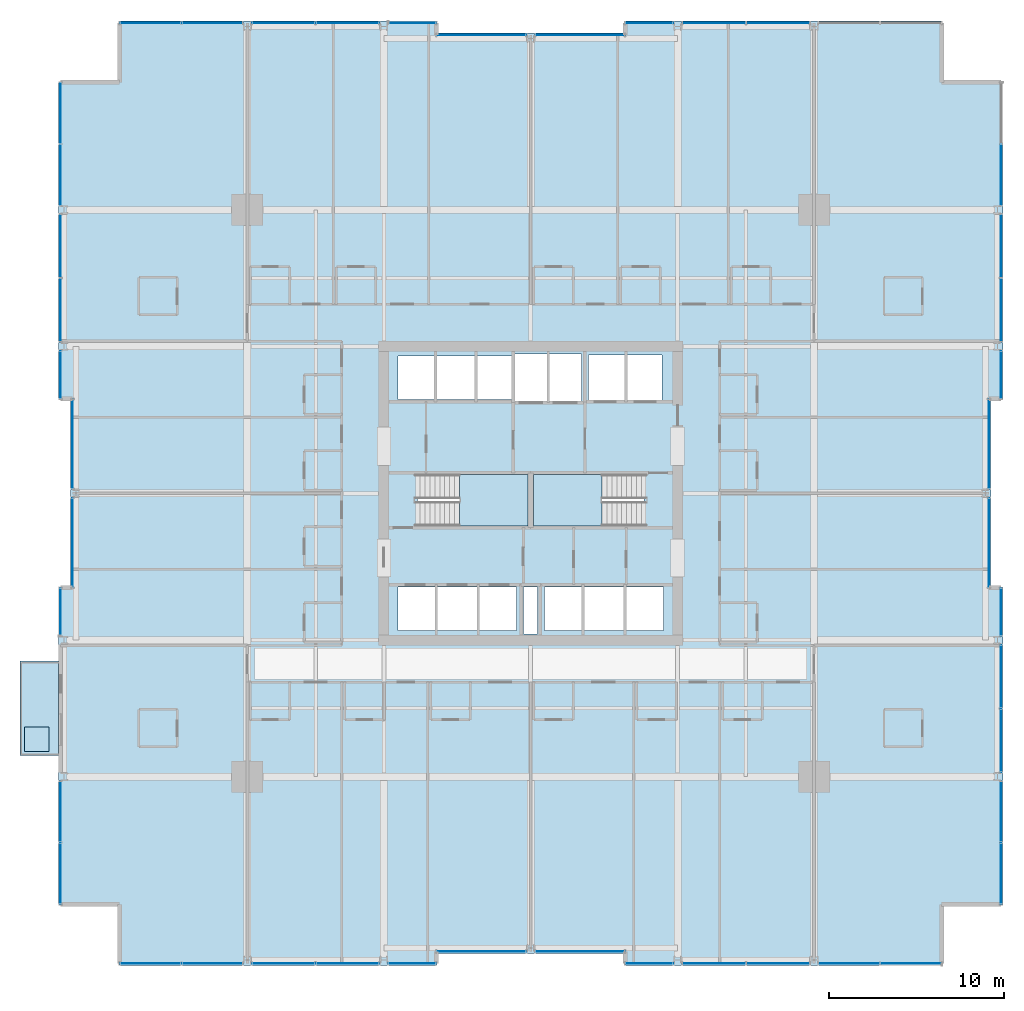
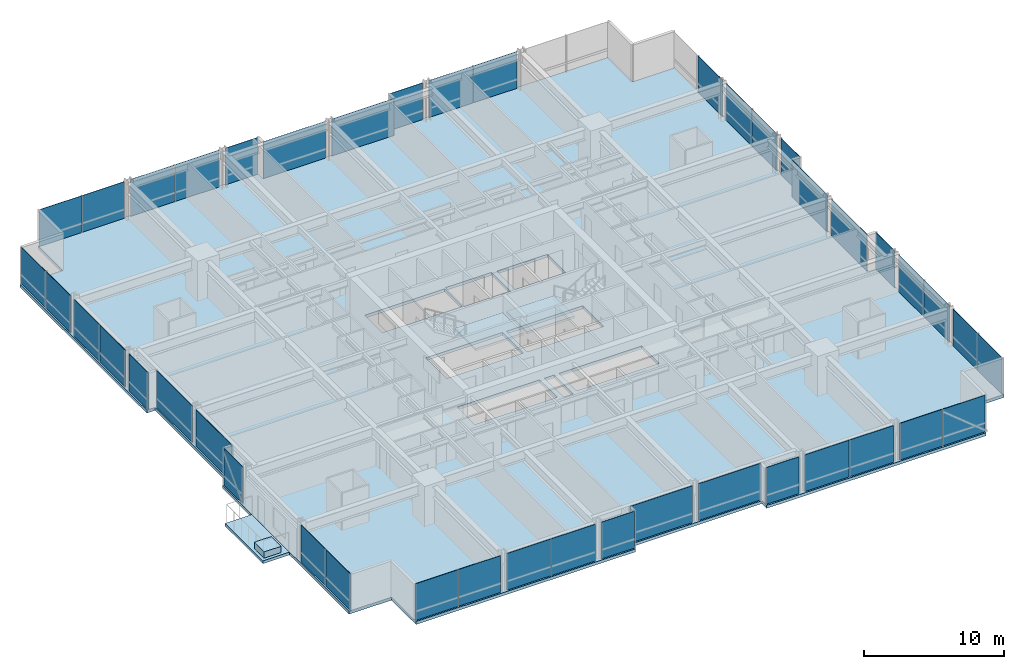
# One storey, part 29 of 39: 43 plates, 5 slabs, 32 elements without a shape of their own.
"""IFC4 building model written with IfcOpenShell, lengths in metres."""

from ifc_helpers import new_model, si_unit, direction, frame, origin, origin_2d, place, context, subcontext, project, spatial, polyline, rectangle, outline, extrude, material, layer, layer_set, type_object, element, aggregate, save


model = new_model("IFC4")

# Units and contexts
model_context = context("Model", 3, precision=1e-05, world=origin(), true_north=direction((0.0, 1.0)))
body_context = subcontext(model_context, "Body", "Model", "MODEL_VIEW")
ifc_project = project(units=[si_unit("LENGTHUNIT", "METRE"), si_unit("AREAUNIT", "SQUARE_METRE"), si_unit("VOLUMEUNIT", "CUBIC_METRE"), si_unit("PLANEANGLEUNIT", "RADIAN"), si_unit("MASSUNIT", "GRAM", prefix="KILO")], contexts=[model_context])

# Site, building, storey
site_placement = place(None, origin())
site = spatial("IfcSite", under=ifc_project, at=site_placement, CompositionType="ELEMENT")
building_placement = place(site_placement, origin())
building = spatial("IfcBuilding", under=site, at=building_placement, Name="Drelvath Grand Hotel", CompositionType="ELEMENT")
storey_placement = place(building_placement, frame((0.0, 0.0, 40.199951171875)))
storey = spatial("IfcBuildingStorey", under=building, at=storey_placement, Name="L08", CompositionType="ELEMENT", Elevation=40.199951171875)

# Slabs
ifc_material_1 = material(Name="Concrete f'c 40 MPa", Category="concrete")
ifc_layer_1 = layer(ifc_material_1, 0.239990234375)
ifc_layer_set_1 = layer_set([ifc_layer_1], Name="Concrete f'c 40 MPa")
slab_type_1 = type_object("IfcSlabType", Name="Cantilevered Tree Balcony Slab 240", PredefinedType="FLOOR", material=ifc_layer_set_1)
slab_1_placement = place(storey_placement, frame((0.0, 0.0, -0.239990234375)))
element("IfcSlab", 1, at=slab_1_placement, inside=storey, type_object=slab_type_1, Name="L08 Cantilevered Tree Balcony Slab 1", PredefinedType="FLOOR", context=body_context, shape_type="SweptSolid", body=[
    extrude(outline(polyline([(-29.199951171875, 12.0), (-27.0, 12.0), (-27.0, 17.39990234375), (-29.199951171875, 17.39990234375), (-29.199951171875, 12.0)])), origin(), (0.0, 0.0, 1.0), 0.239990234375),
])
ifc_layer_2 = layer(ifc_material_1, 0.260009765625)
ifc_layer_set_2 = layer_set([ifc_layer_2], Name="Concrete f'c 40 MPa")
slab_type_2 = type_object("IfcSlabType", Name="Composite RC Floor Slab 260", PredefinedType="FLOOR", material=ifc_layer_set_2)
slab_2_placement = place(storey_placement, frame((0.0, 0.0, -0.260009765625)))
element("IfcSlab", 2, at=slab_2_placement, inside=storey, type_object=slab_type_2, Name="L08 Structural Floor Slab", PredefinedType="FLOOR", context=body_context, shape_type="SweptSolid", body=[
    extrude(outline(polyline([(-23.5, 0.0), (-5.39990234375, 0.0), (-5.39990234375, 0.679931640625), (5.39990234375, 0.679931640625), (5.39990234375, 0.0), (23.5, 0.0), (23.5, 3.5), (27.0, 3.5), (27.0, 21.60009765625), (26.320068359375, 21.60009765625), (26.320068359375, 32.39990234375), (27.0, 32.39990234375), (27.0, 50.5), (23.5, 50.5), (23.5, 54.0), (5.39990234375, 54.0), (5.39990234375, 53.320068359375), (-5.39990234375, 53.320068359375), (-5.39990234375, 54.0), (-23.5, 54.0), (-23.5, 50.5), (-27.0, 50.5), (-27.0, 32.39990234375), (-26.320068359375, 32.39990234375), (-26.320068359375, 21.60009765625), (-27.0, 21.60009765625), (-27.0, 3.5), (-23.5, 3.5), (-23.5, 0.0)]), holes=[polyline([(-6.47998046875, 25.1201171875), (-6.47998046875, 28.080078125), (-0.14990234375, 28.080078125), (-0.14990234375, 25.1201171875), (-6.47998046875, 25.1201171875)]), polyline([(0.14990234375, 25.1201171875), (0.14990234375, 28.080078125), (6.47998046875, 28.080078125), (6.47998046875, 25.1201171875), (0.14990234375, 25.1201171875)]), polyline([(-7.60009765625, 19.14990234375), (-7.60009765625, 21.64990234375), (-0.800048828125, 21.64990234375), (-0.800048828125, 19.14990234375), (-7.60009765625, 19.14990234375)]), polyline([(-0.39990234375, 18.9599609375), (-0.39990234375, 21.639892578125), (0.39990234375, 21.639892578125), (0.39990234375, 18.9599609375), (-0.39990234375, 18.9599609375)]), polyline([(0.800048828125, 19.14990234375), (0.800048828125, 21.64990234375), (7.60009765625, 21.64990234375), (7.60009765625, 19.14990234375), (0.800048828125, 19.14990234375)]), polyline([(-7.60009765625, 32.35009765625), (-7.60009765625, 34.85009765625), (-1.02001953125, 34.85009765625), (-1.02001953125, 32.35009765625), (-7.60009765625, 32.35009765625)]), polyline([(-0.89990234375, 32.25), (-0.89990234375, 34.949951171875), (2.89990234375, 34.949951171875), (2.89990234375, 32.25), (-0.89990234375, 32.25)]), polyline([(3.300048828125, 32.300048828125), (3.300048828125, 34.89990234375), (7.5, 34.89990234375), (7.5, 32.300048828125), (3.300048828125, 32.300048828125)])]), origin(), (0.0, 0.0, 1.0), 0.260009765625),
])

# Stair, slab
ifc_material_2 = material(Name="Concrete C40/50", Category="concrete")
stair_type = type_object("IfcStairType", Name="Dogleg Exit Stair W1400-R175.0", PredefinedType="HALF_TURN_STAIR", material=ifc_material_2)
stair_1_placement = place(storey_placement, origin())
stair_1 = element("IfcStair", 3, at=stair_1_placement, inside=storey, type_object=stair_type, Name="L08 Core Exit Stair ST-1", PredefinedType="HALF_TURN_STAIR")
ifc_layer_3 = layer(ifc_material_2, 0.199951171875)
ifc_layer_set_3 = layer_set([ifc_layer_3], Name="Concrete C40/50")
slab_type_3 = type_object("IfcSlabType", Name="Concrete Stair Landing Slab 200", PredefinedType="LANDING", material=ifc_layer_set_3)
slab_3_placement = place(storey_placement, frame((0.0, 0.0, 1.550048828125)))
slab_3 = element("IfcSlab", 4, at=slab_3_placement, type_object=slab_type_3, Name="ST-1 landing 1", PredefinedType="LANDING", context=body_context, shape_type="SweptSolid", body=[
    extrude(outline(polyline([(-4.080078125, 25.1201171875), (-0.14990234375, 25.1201171875), (-0.14990234375, 28.080078125), (-4.080078125, 28.080078125), (-4.080078125, 25.1201171875)])), origin(), (0.0, 0.0, 1.0), 0.199951171875),
])
aggregate(stair_1, [slab_3])

stair_2_placement = place(storey_placement, origin())
stair_2 = element("IfcStair", 5, at=stair_2_placement, inside=storey, type_object=stair_type, Name="L08 Core Exit Stair ST-2", PredefinedType="HALF_TURN_STAIR")
slab_4_placement = place(storey_placement, frame((0.0, 0.0, 1.550048828125)))
slab_4 = element("IfcSlab", 6, at=slab_4_placement, type_object=slab_type_3, Name="ST-2 landing 1", PredefinedType="LANDING", context=body_context, shape_type="SweptSolid", body=[
    extrude(outline(polyline([(4.080078125, 28.080078125), (0.14990234375, 28.080078125), (0.14990234375, 25.1201171875), (4.080078125, 25.1201171875), (4.080078125, 28.080078125)])), origin(), (0.0, 0.0, 1.0), 0.199951171875),
])
aggregate(stair_2, [slab_4])

# Curtain wall, plates
ifc_material_3 = material(Name="Warm Bronze Anodised Aluminium Frame", Category="aluminium")
ifc_layer_4 = layer(ifc_material_3, 0.199951171875)
ifc_layer_set_4 = layer_set([ifc_layer_4], Name="Warm Bronze Anodised Aluminium Frame")
curtain_wall_type = type_object("IfcCurtainWallType", Name="Stick Curtain Wall CW-02 Warm Bronze Low-Rise", PredefinedType="NOTDEFINED", material=ifc_layer_set_4)
curtain_wall_1_placement = place(storey_placement, origin())
curtain_wall_1 = element("IfcCurtainWall", 7, at=curtain_wall_1_placement, inside=storey, type_object=curtain_wall_type, Name="L08 CW-02 Curtain Wall CW02-L08-WS1", PredefinedType="NOTDEFINED")
ifc_material_4 = material(Name="Low-E Triple Silver Vision Glass Bronze Tint", Category="glass")
ifc_layer_5 = layer(ifc_material_4, 0.035888671875)
ifc_layer_set_5 = layer_set([ifc_layer_5], Name="Low-E Triple Silver Vision Glass Bronze Tint")
plate_type = type_object("IfcPlateType", Name="Curtain Wall Vision Panel CW-02 36mm", PredefinedType="CURTAIN_PANEL", material=ifc_layer_set_5)
plate_1_placement = place(storey_placement, frame((-26.8798828125, 5.264892578125, 0.02001953125), z_axis=(0.0, 0.0, 1.0), x_axis=(0.0, 1.0, 0.0)))
plate_1 = element("IfcPlate", 8, at=plate_1_placement, type_object=plate_type, Name="CW02-L08-WS1 Glazed Panel 1", PredefinedType="CURTAIN_PANEL", context=body_context, shape_type="SweptSolid", body=[
    extrude(rectangle(XDim=3.489501953125, YDim=0.035888671875, at=origin_2d()), origin(), (0.0, 0.0, 1.0), 3.199951171875),
])
plate_2_placement = place(storey_placement, frame((-26.8798828125, 8.794189453125, 0.02001953125), z_axis=(0.0, 0.0, 1.0), x_axis=(0.0, 1.0, 0.0)))
plate_2 = element("IfcPlate", 9, at=plate_2_placement, type_object=plate_type, Name="CW02-L08-WS1 Glazed Panel 2", PredefinedType="CURTAIN_PANEL", context=body_context, shape_type="SweptSolid", body=[
    extrude(rectangle(XDim=3.489501953125, YDim=0.035888671875, at=origin_2d()), origin(), (0.0, 0.0, 1.0), 3.199951171875),
])
aggregate(curtain_wall_1, [plate_1, plate_2])

# Curtain wall, plate
curtain_wall_2_placement = place(storey_placement, origin())
curtain_wall_2 = element("IfcCurtainWall", 10, at=curtain_wall_2_placement, inside=storey, type_object=curtain_wall_type, Name="L08 CW-02 Curtain Wall CW02-L08-WS3", PredefinedType="NOTDEFINED")
plate_3_placement = place(storey_placement, frame((-26.8798828125, 20.220458984375, 0.02001953125), z_axis=(0.0, 0.0, 1.0), x_axis=(0.0, 1.0, 0.0)))
plate_3 = element("IfcPlate", 11, at=plate_3_placement, type_object=plate_type, Name="CW02-L08-WS3 Glazed Panel 1", PredefinedType="CURTAIN_PANEL", context=body_context, shape_type="SweptSolid", body=[
    extrude(rectangle(XDim=2.718994140625, YDim=0.035888671875, at=origin_2d()), origin(), (0.0, 0.0, 1.0), 3.199951171875),
])
aggregate(curtain_wall_2, [plate_3])

curtain_wall_3_placement = place(storey_placement, origin())
curtain_wall_3 = element("IfcCurtainWall", 12, at=curtain_wall_3_placement, inside=storey, type_object=curtain_wall_type, Name="L08 CW-02 Curtain Wall CW02-L08-WM1", PredefinedType="NOTDEFINED")
plate_4_placement = place(storey_placement, frame((-26.199951171875, 24.179443359375, 0.02001953125), z_axis=(0.0, 0.0, 1.0), x_axis=(0.0, 1.0, 0.0)))
plate_4 = element("IfcPlate", 13, at=plate_4_placement, type_object=plate_type, Name="CW02-L08-WM1 Glazed Panel 1", PredefinedType="CURTAIN_PANEL", context=body_context, shape_type="SweptSolid", body=[
    extrude(rectangle(XDim=5.119140625, YDim=0.035888671875, at=origin_2d()), origin(), (0.0, 0.0, 1.0), 3.199951171875),
])
aggregate(curtain_wall_3, [plate_4])

curtain_wall_4_placement = place(storey_placement, origin())
curtain_wall_4 = element("IfcCurtainWall", 14, at=curtain_wall_4_placement, inside=storey, type_object=curtain_wall_type, Name="L08 CW-02 Curtain Wall CW02-L08-WM2", PredefinedType="NOTDEFINED")
plate_5_placement = place(storey_placement, frame((-26.199951171875, 29.820556640625, 0.02001953125), z_axis=(0.0, 0.0, 1.0), x_axis=(0.0, 1.0, 0.0)))
plate_5 = element("IfcPlate", 15, at=plate_5_placement, type_object=plate_type, Name="CW02-L08-WM2 Glazed Panel 1", PredefinedType="CURTAIN_PANEL", context=body_context, shape_type="SweptSolid", body=[
    extrude(rectangle(XDim=5.119140625, YDim=0.035888671875, at=origin_2d()), origin(), (0.0, 0.0, 1.0), 3.199951171875),
])
aggregate(curtain_wall_4, [plate_5])

curtain_wall_5_placement = place(storey_placement, origin())
curtain_wall_5 = element("IfcCurtainWall", 16, at=curtain_wall_5_placement, inside=storey, type_object=curtain_wall_type, Name="L08 CW-02 Curtain Wall CW02-L08-WN1", PredefinedType="NOTDEFINED")
plate_6_placement = place(storey_placement, frame((-26.8798828125, 33.779541015625, 0.02001953125), z_axis=(0.0, 0.0, 1.0), x_axis=(0.0, 1.0, 0.0)))
plate_6 = element("IfcPlate", 17, at=plate_6_placement, type_object=plate_type, Name="CW02-L08-WN1 Glazed Panel 1", PredefinedType="CURTAIN_PANEL", context=body_context, shape_type="SweptSolid", body=[
    extrude(rectangle(XDim=2.718994140625, YDim=0.035888671875, at=origin_2d()), origin(), (0.0, 0.0, 1.0), 3.199951171875),
])
aggregate(curtain_wall_5, [plate_6])

# Curtain wall, plates
curtain_wall_6_placement = place(storey_placement, origin())
curtain_wall_6 = element("IfcCurtainWall", 18, at=curtain_wall_6_placement, inside=storey, type_object=curtain_wall_type, Name="L08 CW-02 Curtain Wall CW02-L08-WN2", PredefinedType="NOTDEFINED")
plate_7_placement = place(storey_placement, frame((-26.8798828125, 37.470458984375, 0.02001953125), z_axis=(0.0, 0.0, 1.0), x_axis=(0.0, 1.0, 0.0)))
plate_7 = element("IfcPlate", 19, at=plate_7_placement, type_object=plate_type, Name="CW02-L08-WN2 Glazed Panel 1", PredefinedType="CURTAIN_PANEL", context=body_context, shape_type="SweptSolid", body=[
    extrude(rectangle(XDim=3.619140625, YDim=0.035888671875, at=origin_2d()), origin(), (0.0, 0.0, 1.0), 3.199951171875),
])
plate_8_placement = place(storey_placement, frame((-26.8798828125, 41.129638671875, 0.02001953125), z_axis=(0.0, 0.0, 1.0), x_axis=(0.0, 1.0, 0.0)))
plate_8 = element("IfcPlate", 20, at=plate_8_placement, type_object=plate_type, Name="CW02-L08-WN2 Glazed Panel 2", PredefinedType="CURTAIN_PANEL", context=body_context, shape_type="SweptSolid", body=[
    extrude(rectangle(XDim=3.619140625, YDim=0.035888671875, at=origin_2d()), origin(), (0.0, 0.0, 1.0), 3.199951171875),
])
aggregate(curtain_wall_6, [plate_7, plate_8])

curtain_wall_7_placement = place(storey_placement, origin())
curtain_wall_7 = element("IfcCurtainWall", 21, at=curtain_wall_7_placement, inside=storey, type_object=curtain_wall_type, Name="L08 CW-02 Curtain Wall CW02-L08-WN3", PredefinedType="NOTDEFINED")
plate_9_placement = place(storey_placement, frame((-26.8798828125, 45.205810546875, 0.02001953125), z_axis=(0.0, 0.0, 1.0), x_axis=(0.0, 1.0, 0.0)))
plate_9 = element("IfcPlate", 22, at=plate_9_placement, type_object=plate_type, Name="CW02-L08-WN3 Glazed Panel 1", PredefinedType="CURTAIN_PANEL", context=body_context, shape_type="SweptSolid", body=[
    extrude(rectangle(XDim=3.489501953125, YDim=0.035888671875, at=origin_2d()), origin(), (0.0, 0.0, 1.0), 3.199951171875),
])
plate_10_placement = place(storey_placement, frame((-26.8798828125, 48.735107421875, 0.02001953125), z_axis=(0.0, 0.0, 1.0), x_axis=(0.0, 1.0, 0.0)))
plate_10 = element("IfcPlate", 23, at=plate_10_placement, type_object=plate_type, Name="CW02-L08-WN3 Glazed Panel 2", PredefinedType="CURTAIN_PANEL", context=body_context, shape_type="SweptSolid", body=[
    extrude(rectangle(XDim=3.489501953125, YDim=0.035888671875, at=origin_2d()), origin(), (0.0, 0.0, 1.0), 3.199951171875),
])
aggregate(curtain_wall_7, [plate_9, plate_10])

# Curtain wall, plate
curtain_wall_8_placement = place(storey_placement, origin())
curtain_wall_8 = element("IfcCurtainWall", 24, at=curtain_wall_8_placement, inside=storey, type_object=curtain_wall_type, Name="L08 CW-02 Curtain Wall CW02-L08-EN1", PredefinedType="NOTDEFINED")
plate_11_placement = place(storey_placement, frame((26.8798828125, 33.779541015625, 0.02001953125), z_axis=(0.0, 0.0, 1.0), x_axis=(0.0, -1.0, 0.0)))
plate_11 = element("IfcPlate", 25, at=plate_11_placement, type_object=plate_type, Name="CW02-L08-EN1 Glazed Panel 1", PredefinedType="CURTAIN_PANEL", context=body_context, shape_type="SweptSolid", body=[
    extrude(rectangle(XDim=2.718994140625, YDim=0.035888671875, at=origin_2d()), origin(), (0.0, 0.0, 1.0), 3.199951171875),
])
aggregate(curtain_wall_8, [plate_11])

# Curtain wall, plates
curtain_wall_9_placement = place(storey_placement, origin())
curtain_wall_9 = element("IfcCurtainWall", 26, at=curtain_wall_9_placement, inside=storey, type_object=curtain_wall_type, Name="L08 CW-02 Curtain Wall CW02-L08-EN2", PredefinedType="NOTDEFINED")
plate_12_placement = place(storey_placement, frame((26.8798828125, 41.129638671875, 0.02001953125), z_axis=(0.0, 0.0, 1.0), x_axis=(0.0, -1.0, 0.0)))
plate_12 = element("IfcPlate", 27, at=plate_12_placement, type_object=plate_type, Name="CW02-L08-EN2 Glazed Panel 1", PredefinedType="CURTAIN_PANEL", context=body_context, shape_type="SweptSolid", body=[
    extrude(rectangle(XDim=3.619140625, YDim=0.035888671875, at=origin_2d()), origin(), (0.0, 0.0, 1.0), 3.199951171875),
])
plate_13_placement = place(storey_placement, frame((26.8798828125, 37.470458984375, 0.02001953125), z_axis=(0.0, 0.0, 1.0), x_axis=(0.0, -1.0, 0.0)))
plate_13 = element("IfcPlate", 28, at=plate_13_placement, type_object=plate_type, Name="CW02-L08-EN2 Glazed Panel 2", PredefinedType="CURTAIN_PANEL", context=body_context, shape_type="SweptSolid", body=[
    extrude(rectangle(XDim=3.619140625, YDim=0.035888671875, at=origin_2d()), origin(), (0.0, 0.0, 1.0), 3.199951171875),
])
aggregate(curtain_wall_9, [plate_12, plate_13])

# Curtain wall, plate
curtain_wall_10_placement = place(storey_placement, origin())
curtain_wall_10 = element("IfcCurtainWall", 29, at=curtain_wall_10_placement, inside=storey, type_object=curtain_wall_type, Name="L08 CW-02 Curtain Wall CW02-L08-EN3", PredefinedType="NOTDEFINED")
plate_14_placement = place(storey_placement, frame((26.8798828125, 45.205810546875, 0.02001953125), z_axis=(0.0, 0.0, 1.0), x_axis=(0.0, -1.0, 0.0)))
plate_14 = element("IfcPlate", 30, at=plate_14_placement, type_object=plate_type, Name="CW02-L08-EN3 Glazed Panel 2", PredefinedType="CURTAIN_PANEL", context=body_context, shape_type="SweptSolid", body=[
    extrude(rectangle(XDim=3.489501953125, YDim=0.035888671875, at=origin_2d()), origin(), (0.0, 0.0, 1.0), 3.199951171875),
])
aggregate(curtain_wall_10, [plate_14])

curtain_wall_11_placement = place(storey_placement, origin())
curtain_wall_11 = element("IfcCurtainWall", 31, at=curtain_wall_11_placement, inside=storey, type_object=curtain_wall_type, Name="L08 CW-02 Curtain Wall CW02-L08-EM1", PredefinedType="NOTDEFINED")
plate_15_placement = place(storey_placement, frame((26.199951171875, 24.179443359375, 0.02001953125), z_axis=(0.0, 0.0, 1.0), x_axis=(0.0, -1.0, 0.0)))
plate_15 = element("IfcPlate", 32, at=plate_15_placement, type_object=plate_type, Name="CW02-L08-EM1 Glazed Panel 1", PredefinedType="CURTAIN_PANEL", context=body_context, shape_type="SweptSolid", body=[
    extrude(rectangle(XDim=5.119140625, YDim=0.035888671875, at=origin_2d()), origin(), (0.0, 0.0, 1.0), 3.199951171875),
])
aggregate(curtain_wall_11, [plate_15])

curtain_wall_12_placement = place(storey_placement, origin())
curtain_wall_12 = element("IfcCurtainWall", 33, at=curtain_wall_12_placement, inside=storey, type_object=curtain_wall_type, Name="L08 CW-02 Curtain Wall CW02-L08-EM2", PredefinedType="NOTDEFINED")
plate_16_placement = place(storey_placement, frame((26.199951171875, 29.820556640625, 0.02001953125), z_axis=(0.0, 0.0, 1.0), x_axis=(0.0, -1.0, 0.0)))
plate_16 = element("IfcPlate", 34, at=plate_16_placement, type_object=plate_type, Name="CW02-L08-EM2 Glazed Panel 1", PredefinedType="CURTAIN_PANEL", context=body_context, shape_type="SweptSolid", body=[
    extrude(rectangle(XDim=5.119140625, YDim=0.035888671875, at=origin_2d()), origin(), (0.0, 0.0, 1.0), 3.199951171875),
])
aggregate(curtain_wall_12, [plate_16])

# Curtain wall, plates
curtain_wall_13_placement = place(storey_placement, origin())
curtain_wall_13 = element("IfcCurtainWall", 35, at=curtain_wall_13_placement, inside=storey, type_object=curtain_wall_type, Name="L08 CW-02 Curtain Wall CW02-L08-ES1", PredefinedType="NOTDEFINED")
plate_17_placement = place(storey_placement, frame((26.8798828125, 8.794189453125, 0.02001953125), z_axis=(0.0, 0.0, 1.0), x_axis=(0.0, -1.0, 0.0)))
plate_17 = element("IfcPlate", 36, at=plate_17_placement, type_object=plate_type, Name="CW02-L08-ES1 Glazed Panel 1", PredefinedType="CURTAIN_PANEL", context=body_context, shape_type="SweptSolid", body=[
    extrude(rectangle(XDim=3.489501953125, YDim=0.035888671875, at=origin_2d()), origin(), (0.0, 0.0, 1.0), 3.199951171875),
])
plate_18_placement = place(storey_placement, frame((26.8798828125, 5.264892578125, 0.02001953125), z_axis=(0.0, 0.0, 1.0), x_axis=(0.0, -1.0, 0.0)))
plate_18 = element("IfcPlate", 37, at=plate_18_placement, type_object=plate_type, Name="CW02-L08-ES1 Glazed Panel 2", PredefinedType="CURTAIN_PANEL", context=body_context, shape_type="SweptSolid", body=[
    extrude(rectangle(XDim=3.489501953125, YDim=0.035888671875, at=origin_2d()), origin(), (0.0, 0.0, 1.0), 3.199951171875),
])
aggregate(curtain_wall_13, [plate_17, plate_18])

curtain_wall_14_placement = place(storey_placement, origin())
curtain_wall_14 = element("IfcCurtainWall", 38, at=curtain_wall_14_placement, inside=storey, type_object=curtain_wall_type, Name="L08 CW-02 Curtain Wall CW02-L08-ES2", PredefinedType="NOTDEFINED")
plate_19_placement = place(storey_placement, frame((26.8798828125, 16.529541015625, 0.02001953125), z_axis=(0.0, 0.0, 1.0), x_axis=(0.0, -1.0, 0.0)))
plate_19 = element("IfcPlate", 39, at=plate_19_placement, type_object=plate_type, Name="CW02-L08-ES2 Glazed Panel 1", PredefinedType="CURTAIN_PANEL", context=body_context, shape_type="SweptSolid", body=[
    extrude(rectangle(XDim=3.619140625, YDim=0.035888671875, at=origin_2d()), origin(), (0.0, 0.0, 1.0), 3.199951171875),
])
plate_20_placement = place(storey_placement, frame((26.8798828125, 12.870361328125, 0.02001953125), z_axis=(0.0, 0.0, 1.0), x_axis=(0.0, -1.0, 0.0)))
plate_20 = element("IfcPlate", 40, at=plate_20_placement, type_object=plate_type, Name="CW02-L08-ES2 Glazed Panel 2", PredefinedType="CURTAIN_PANEL", context=body_context, shape_type="SweptSolid", body=[
    extrude(rectangle(XDim=3.619140625, YDim=0.035888671875, at=origin_2d()), origin(), (0.0, 0.0, 1.0), 3.199951171875),
])
aggregate(curtain_wall_14, [plate_19, plate_20])

# Curtain wall, plate
curtain_wall_15_placement = place(storey_placement, origin())
curtain_wall_15 = element("IfcCurtainWall", 41, at=curtain_wall_15_placement, inside=storey, type_object=curtain_wall_type, Name="L08 CW-02 Curtain Wall CW02-L08-ES3", PredefinedType="NOTDEFINED")
plate_21_placement = place(storey_placement, frame((26.8798828125, 20.220458984375, 0.02001953125), z_axis=(0.0, 0.0, 1.0), x_axis=(0.0, -1.0, 0.0)))
plate_21 = element("IfcPlate", 42, at=plate_21_placement, type_object=plate_type, Name="CW02-L08-ES3 Glazed Panel 1", PredefinedType="CURTAIN_PANEL", context=body_context, shape_type="SweptSolid", body=[
    extrude(rectangle(XDim=2.718994140625, YDim=0.035888671875, at=origin_2d()), origin(), (0.0, 0.0, 1.0), 3.199951171875),
])
aggregate(curtain_wall_15, [plate_21])

# Curtain wall, plates
curtain_wall_16_placement = place(storey_placement, origin())
curtain_wall_16 = element("IfcCurtainWall", 43, at=curtain_wall_16_placement, inside=storey, type_object=curtain_wall_type, Name="L08 CW-02 Curtain Wall CW02-L08-NW1", PredefinedType="NOTDEFINED")
plate_22_placement = place(storey_placement, frame((-21.735107421875, 53.8798828125, 0.02001953125), z_axis=(0.0, 0.0, 1.0), x_axis=(1.0, 0.0, 0.0)))
plate_22 = element("IfcPlate", 44, at=plate_22_placement, type_object=plate_type, Name="CW02-L08-NW1 Glazed Panel 1", PredefinedType="CURTAIN_PANEL", context=body_context, shape_type="SweptSolid", body=[
    extrude(rectangle(XDim=3.489501953125, YDim=0.035888671875, at=origin_2d()), origin(), (0.0, 0.0, 1.0), 3.199951171875),
])
plate_23_placement = place(storey_placement, frame((-18.205810546875, 53.8798828125, 0.02001953125), z_axis=(0.0, 0.0, 1.0), x_axis=(1.0, 0.0, 0.0)))
plate_23 = element("IfcPlate", 45, at=plate_23_placement, type_object=plate_type, Name="CW02-L08-NW1 Glazed Panel 2", PredefinedType="CURTAIN_PANEL", context=body_context, shape_type="SweptSolid", body=[
    extrude(rectangle(XDim=3.489501953125, YDim=0.035888671875, at=origin_2d()), origin(), (0.0, 0.0, 1.0), 3.199951171875),
])
aggregate(curtain_wall_16, [plate_22, plate_23])

curtain_wall_17_placement = place(storey_placement, origin())
curtain_wall_17 = element("IfcCurtainWall", 46, at=curtain_wall_17_placement, inside=storey, type_object=curtain_wall_type, Name="L08 CW-02 Curtain Wall CW02-L08-NW2", PredefinedType="NOTDEFINED")
plate_24_placement = place(storey_placement, frame((-14.129638671875, 53.8798828125, 0.02001953125), z_axis=(0.0, 0.0, 1.0), x_axis=(1.0, 0.0, 0.0)))
plate_24 = element("IfcPlate", 47, at=plate_24_placement, type_object=plate_type, Name="CW02-L08-NW2 Glazed Panel 1", PredefinedType="CURTAIN_PANEL", context=body_context, shape_type="SweptSolid", body=[
    extrude(rectangle(XDim=3.619140625, YDim=0.035888671875, at=origin_2d()), origin(), (0.0, 0.0, 1.0), 3.199951171875),
])
plate_25_placement = place(storey_placement, frame((-10.470458984375, 53.8798828125, 0.02001953125), z_axis=(0.0, 0.0, 1.0), x_axis=(1.0, 0.0, 0.0)))
plate_25 = element("IfcPlate", 48, at=plate_25_placement, type_object=plate_type, Name="CW02-L08-NW2 Glazed Panel 2", PredefinedType="CURTAIN_PANEL", context=body_context, shape_type="SweptSolid", body=[
    extrude(rectangle(XDim=3.619140625, YDim=0.035888671875, at=origin_2d()), origin(), (0.0, 0.0, 1.0), 3.199951171875),
])
aggregate(curtain_wall_17, [plate_24, plate_25])

# Curtain wall, plate
curtain_wall_18_placement = place(storey_placement, origin())
curtain_wall_18 = element("IfcCurtainWall", 49, at=curtain_wall_18_placement, inside=storey, type_object=curtain_wall_type, Name="L08 CW-02 Curtain Wall CW02-L08-NW3", PredefinedType="NOTDEFINED")
plate_26_placement = place(storey_placement, frame((-6.779541015625, 53.8798828125, 0.02001953125), z_axis=(0.0, 0.0, 1.0), x_axis=(1.0, 0.0, 0.0)))
plate_26 = element("IfcPlate", 50, at=plate_26_placement, type_object=plate_type, Name="CW02-L08-NW3 Glazed Panel 1", PredefinedType="CURTAIN_PANEL", context=body_context, shape_type="SweptSolid", body=[
    extrude(rectangle(XDim=2.718994140625, YDim=0.035888671875, at=origin_2d()), origin(), (0.0, 0.0, 1.0), 3.199951171875),
])
aggregate(curtain_wall_18, [plate_26])

curtain_wall_19_placement = place(storey_placement, origin())
curtain_wall_19 = element("IfcCurtainWall", 51, at=curtain_wall_19_placement, inside=storey, type_object=curtain_wall_type, Name="L08 CW-02 Curtain Wall CW02-L08-NM1", PredefinedType="NOTDEFINED")
plate_27_placement = place(storey_placement, frame((-2.820556640625, 53.199951171875, 0.02001953125), z_axis=(0.0, 0.0, 1.0), x_axis=(1.0, 0.0, 0.0)))
plate_27 = element("IfcPlate", 52, at=plate_27_placement, type_object=plate_type, Name="CW02-L08-NM1 Glazed Panel 1", PredefinedType="CURTAIN_PANEL", context=body_context, shape_type="SweptSolid", body=[
    extrude(rectangle(XDim=5.119140625, YDim=0.035888671875, at=origin_2d()), origin(), (0.0, 0.0, 1.0), 3.199951171875),
])
aggregate(curtain_wall_19, [plate_27])

curtain_wall_20_placement = place(storey_placement, origin())
curtain_wall_20 = element("IfcCurtainWall", 53, at=curtain_wall_20_placement, inside=storey, type_object=curtain_wall_type, Name="L08 CW-02 Curtain Wall CW02-L08-NM2", PredefinedType="NOTDEFINED")
plate_28_placement = place(storey_placement, frame((2.820556640625, 53.199951171875, 0.02001953125), z_axis=(0.0, 0.0, 1.0), x_axis=(1.0, 0.0, 0.0)))
plate_28 = element("IfcPlate", 54, at=plate_28_placement, type_object=plate_type, Name="CW02-L08-NM2 Glazed Panel 1", PredefinedType="CURTAIN_PANEL", context=body_context, shape_type="SweptSolid", body=[
    extrude(rectangle(XDim=5.119140625, YDim=0.035888671875, at=origin_2d()), origin(), (0.0, 0.0, 1.0), 3.199951171875),
])
aggregate(curtain_wall_20, [plate_28])

curtain_wall_21_placement = place(storey_placement, origin())
curtain_wall_21 = element("IfcCurtainWall", 55, at=curtain_wall_21_placement, inside=storey, type_object=curtain_wall_type, Name="L08 CW-02 Curtain Wall CW02-L08-NE1", PredefinedType="NOTDEFINED")
plate_29_placement = place(storey_placement, frame((6.779541015625, 53.8798828125, 0.02001953125), z_axis=(0.0, 0.0, 1.0), x_axis=(1.0, 0.0, 0.0)))
plate_29 = element("IfcPlate", 56, at=plate_29_placement, type_object=plate_type, Name="CW02-L08-NE1 Glazed Panel 1", PredefinedType="CURTAIN_PANEL", context=body_context, shape_type="SweptSolid", body=[
    extrude(rectangle(XDim=2.718994140625, YDim=0.035888671875, at=origin_2d()), origin(), (0.0, 0.0, 1.0), 3.199951171875),
])
aggregate(curtain_wall_21, [plate_29])

# Curtain wall, plates
curtain_wall_22_placement = place(storey_placement, origin())
curtain_wall_22 = element("IfcCurtainWall", 57, at=curtain_wall_22_placement, inside=storey, type_object=curtain_wall_type, Name="L08 CW-02 Curtain Wall CW02-L08-NE2", PredefinedType="NOTDEFINED")
plate_30_placement = place(storey_placement, frame((10.470458984375, 53.8798828125, 0.02001953125), z_axis=(0.0, 0.0, 1.0), x_axis=(1.0, 0.0, 0.0)))
plate_30 = element("IfcPlate", 58, at=plate_30_placement, type_object=plate_type, Name="CW02-L08-NE2 Glazed Panel 1", PredefinedType="CURTAIN_PANEL", context=body_context, shape_type="SweptSolid", body=[
    extrude(rectangle(XDim=3.619140625, YDim=0.035888671875, at=origin_2d()), origin(), (0.0, 0.0, 1.0), 3.199951171875),
])
plate_31_placement = place(storey_placement, frame((14.129638671875, 53.8798828125, 0.02001953125), z_axis=(0.0, 0.0, 1.0), x_axis=(1.0, 0.0, 0.0)))
plate_31 = element("IfcPlate", 59, at=plate_31_placement, type_object=plate_type, Name="CW02-L08-NE2 Glazed Panel 2", PredefinedType="CURTAIN_PANEL", context=body_context, shape_type="SweptSolid", body=[
    extrude(rectangle(XDim=3.619140625, YDim=0.035888671875, at=origin_2d()), origin(), (0.0, 0.0, 1.0), 3.199951171875),
])
aggregate(curtain_wall_22, [plate_30, plate_31])

# Curtain wall, plate
curtain_wall_23_placement = place(storey_placement, origin())
curtain_wall_23 = element("IfcCurtainWall", 60, at=curtain_wall_23_placement, inside=storey, type_object=curtain_wall_type, Name="L08 CW-02 Curtain Wall CW02-L08-SE1", PredefinedType="NOTDEFINED")
plate_32_placement = place(storey_placement, frame((6.779541015625, 0.1201171875, 0.02001953125), z_axis=(0.0, 0.0, 1.0), x_axis=(-1.0, 0.0, 0.0)))
plate_32 = element("IfcPlate", 61, at=plate_32_placement, type_object=plate_type, Name="CW02-L08-SE1 Glazed Panel 1", PredefinedType="CURTAIN_PANEL", context=body_context, shape_type="SweptSolid", body=[
    extrude(rectangle(XDim=2.718994140625, YDim=0.035888671875, at=origin_2d()), origin(), (0.0, 0.0, 1.0), 3.199951171875),
])
aggregate(curtain_wall_23, [plate_32])

# Curtain wall, plates
curtain_wall_24_placement = place(storey_placement, origin())
curtain_wall_24 = element("IfcCurtainWall", 62, at=curtain_wall_24_placement, inside=storey, type_object=curtain_wall_type, Name="L08 CW-02 Curtain Wall CW02-L08-SE2", PredefinedType="NOTDEFINED")
plate_33_placement = place(storey_placement, frame((14.129638671875, 0.1201171875, 0.02001953125), z_axis=(0.0, 0.0, 1.0), x_axis=(-1.0, 0.0, 0.0)))
plate_33 = element("IfcPlate", 63, at=plate_33_placement, type_object=plate_type, Name="CW02-L08-SE2 Glazed Panel 1", PredefinedType="CURTAIN_PANEL", context=body_context, shape_type="SweptSolid", body=[
    extrude(rectangle(XDim=3.619140625, YDim=0.035888671875, at=origin_2d()), origin(), (0.0, 0.0, 1.0), 3.199951171875),
])
plate_34_placement = place(storey_placement, frame((10.470458984375, 0.1201171875, 0.02001953125), z_axis=(0.0, 0.0, 1.0), x_axis=(-1.0, 0.0, 0.0)))
plate_34 = element("IfcPlate", 64, at=plate_34_placement, type_object=plate_type, Name="CW02-L08-SE2 Glazed Panel 2", PredefinedType="CURTAIN_PANEL", context=body_context, shape_type="SweptSolid", body=[
    extrude(rectangle(XDim=3.619140625, YDim=0.035888671875, at=origin_2d()), origin(), (0.0, 0.0, 1.0), 3.199951171875),
])
aggregate(curtain_wall_24, [plate_33, plate_34])

curtain_wall_25_placement = place(storey_placement, origin())
curtain_wall_25 = element("IfcCurtainWall", 65, at=curtain_wall_25_placement, inside=storey, type_object=curtain_wall_type, Name="L08 CW-02 Curtain Wall CW02-L08-SE3", PredefinedType="NOTDEFINED")
plate_35_placement = place(storey_placement, frame((21.735107421875, 0.1201171875, 0.02001953125), z_axis=(0.0, 0.0, 1.0), x_axis=(-1.0, 0.0, 0.0)))
plate_35 = element("IfcPlate", 66, at=plate_35_placement, type_object=plate_type, Name="CW02-L08-SE3 Glazed Panel 1", PredefinedType="CURTAIN_PANEL", context=body_context, shape_type="SweptSolid", body=[
    extrude(rectangle(XDim=3.489501953125, YDim=0.035888671875, at=origin_2d()), origin(), (0.0, 0.0, 1.0), 3.199951171875),
])
plate_36_placement = place(storey_placement, frame((18.205810546875, 0.1201171875, 0.02001953125), z_axis=(0.0, 0.0, 1.0), x_axis=(-1.0, 0.0, 0.0)))
plate_36 = element("IfcPlate", 67, at=plate_36_placement, type_object=plate_type, Name="CW02-L08-SE3 Glazed Panel 2", PredefinedType="CURTAIN_PANEL", context=body_context, shape_type="SweptSolid", body=[
    extrude(rectangle(XDim=3.489501953125, YDim=0.035888671875, at=origin_2d()), origin(), (0.0, 0.0, 1.0), 3.199951171875),
])
aggregate(curtain_wall_25, [plate_35, plate_36])

# Curtain wall, plate
curtain_wall_26_placement = place(storey_placement, origin())
curtain_wall_26 = element("IfcCurtainWall", 68, at=curtain_wall_26_placement, inside=storey, type_object=curtain_wall_type, Name="L08 CW-02 Curtain Wall CW02-L08-SM1", PredefinedType="NOTDEFINED")
plate_37_placement = place(storey_placement, frame((-2.820556640625, 0.800048828125, 0.02001953125), z_axis=(0.0, 0.0, 1.0), x_axis=(-1.0, 0.0, 0.0)))
plate_37 = element("IfcPlate", 69, at=plate_37_placement, type_object=plate_type, Name="CW02-L08-SM1 Glazed Panel 1", PredefinedType="CURTAIN_PANEL", context=body_context, shape_type="SweptSolid", body=[
    extrude(rectangle(XDim=5.119140625, YDim=0.035888671875, at=origin_2d()), origin(), (0.0, 0.0, 1.0), 3.199951171875),
])
aggregate(curtain_wall_26, [plate_37])

curtain_wall_27_placement = place(storey_placement, origin())
curtain_wall_27 = element("IfcCurtainWall", 70, at=curtain_wall_27_placement, inside=storey, type_object=curtain_wall_type, Name="L08 CW-02 Curtain Wall CW02-L08-SM2", PredefinedType="NOTDEFINED")
plate_38_placement = place(storey_placement, frame((2.820556640625, 0.800048828125, 0.02001953125), z_axis=(0.0, 0.0, 1.0), x_axis=(-1.0, 0.0, 0.0)))
plate_38 = element("IfcPlate", 71, at=plate_38_placement, type_object=plate_type, Name="CW02-L08-SM2 Glazed Panel 1", PredefinedType="CURTAIN_PANEL", context=body_context, shape_type="SweptSolid", body=[
    extrude(rectangle(XDim=5.119140625, YDim=0.035888671875, at=origin_2d()), origin(), (0.0, 0.0, 1.0), 3.199951171875),
])
aggregate(curtain_wall_27, [plate_38])

# Curtain wall, plates
curtain_wall_28_placement = place(storey_placement, origin())
curtain_wall_28 = element("IfcCurtainWall", 72, at=curtain_wall_28_placement, inside=storey, type_object=curtain_wall_type, Name="L08 CW-02 Curtain Wall CW02-L08-SW1", PredefinedType="NOTDEFINED")
plate_39_placement = place(storey_placement, frame((-18.205810546875, 0.1201171875, 0.02001953125), z_axis=(0.0, 0.0, 1.0), x_axis=(-1.0, 0.0, 0.0)))
plate_39 = element("IfcPlate", 73, at=plate_39_placement, type_object=plate_type, Name="CW02-L08-SW1 Glazed Panel 1", PredefinedType="CURTAIN_PANEL", context=body_context, shape_type="SweptSolid", body=[
    extrude(rectangle(XDim=3.489501953125, YDim=0.035888671875, at=origin_2d()), origin(), (0.0, 0.0, 1.0), 3.199951171875),
])
plate_40_placement = place(storey_placement, frame((-21.735107421875, 0.1201171875, 0.02001953125), z_axis=(0.0, 0.0, 1.0), x_axis=(-1.0, 0.0, 0.0)))
plate_40 = element("IfcPlate", 74, at=plate_40_placement, type_object=plate_type, Name="CW02-L08-SW1 Glazed Panel 2", PredefinedType="CURTAIN_PANEL", context=body_context, shape_type="SweptSolid", body=[
    extrude(rectangle(XDim=3.489501953125, YDim=0.035888671875, at=origin_2d()), origin(), (0.0, 0.0, 1.0), 3.199951171875),
])
aggregate(curtain_wall_28, [plate_39, plate_40])

curtain_wall_29_placement = place(storey_placement, origin())
curtain_wall_29 = element("IfcCurtainWall", 75, at=curtain_wall_29_placement, inside=storey, type_object=curtain_wall_type, Name="L08 CW-02 Curtain Wall CW02-L08-SW2", PredefinedType="NOTDEFINED")
plate_41_placement = place(storey_placement, frame((-10.470458984375, 0.1201171875, 0.02001953125), z_axis=(0.0, 0.0, 1.0), x_axis=(-1.0, 0.0, 0.0)))
plate_41 = element("IfcPlate", 76, at=plate_41_placement, type_object=plate_type, Name="CW02-L08-SW2 Glazed Panel 1", PredefinedType="CURTAIN_PANEL", context=body_context, shape_type="SweptSolid", body=[
    extrude(rectangle(XDim=3.619140625, YDim=0.035888671875, at=origin_2d()), origin(), (0.0, 0.0, 1.0), 3.199951171875),
])
plate_42_placement = place(storey_placement, frame((-14.129638671875, 0.1201171875, 0.02001953125), z_axis=(0.0, 0.0, 1.0), x_axis=(-1.0, 0.0, 0.0)))
plate_42 = element("IfcPlate", 77, at=plate_42_placement, type_object=plate_type, Name="CW02-L08-SW2 Glazed Panel 2", PredefinedType="CURTAIN_PANEL", context=body_context, shape_type="SweptSolid", body=[
    extrude(rectangle(XDim=3.619140625, YDim=0.035888671875, at=origin_2d()), origin(), (0.0, 0.0, 1.0), 3.199951171875),
])
aggregate(curtain_wall_29, [plate_41, plate_42])

# Curtain wall, plate
curtain_wall_30_placement = place(storey_placement, origin())
curtain_wall_30 = element("IfcCurtainWall", 78, at=curtain_wall_30_placement, inside=storey, type_object=curtain_wall_type, Name="L08 CW-02 Curtain Wall CW02-L08-SW3", PredefinedType="NOTDEFINED")
plate_43_placement = place(storey_placement, frame((-6.779541015625, 0.1201171875, 0.02001953125), z_axis=(0.0, 0.0, 1.0), x_axis=(-1.0, 0.0, 0.0)))
plate_43 = element("IfcPlate", 79, at=plate_43_placement, type_object=plate_type, Name="CW02-L08-SW3 Glazed Panel 1", PredefinedType="CURTAIN_PANEL", context=body_context, shape_type="SweptSolid", body=[
    extrude(rectangle(XDim=2.718994140625, YDim=0.035888671875, at=origin_2d()), origin(), (0.0, 0.0, 1.0), 3.199951171875),
])
aggregate(curtain_wall_30, [plate_43])

# Slab
ifc_layer_6 = layer(ifc_material_1, 0.550048828125)
ifc_layer_set_6 = layer_set([ifc_layer_6], Name="Concrete f'c 40 MPa")
slab_type_4 = type_object("IfcSlabType", Name="Structural Tree Planter Box 550", PredefinedType="USERDEFINED", material=ifc_layer_set_6)
slab_5_placement = place(storey_placement, origin())
element("IfcSlab", 80, at=slab_5_placement, inside=storey, type_object=slab_type_4, Name="L08 Tree Balcony Structural Planter 1", ObjectType="PLANTER", PredefinedType="USERDEFINED", context=body_context, shape_type="SweptSolid", body=[
    extrude(outline(polyline([(-28.949951171875, 12.25), (-27.550048828125, 12.25), (-27.550048828125, 13.64990234375), (-28.949951171875, 13.64990234375), (-28.949951171875, 12.25)])), origin(), (0.0, 0.0, 1.0), 0.550048828125),
])

save(model, "model.ifc")
